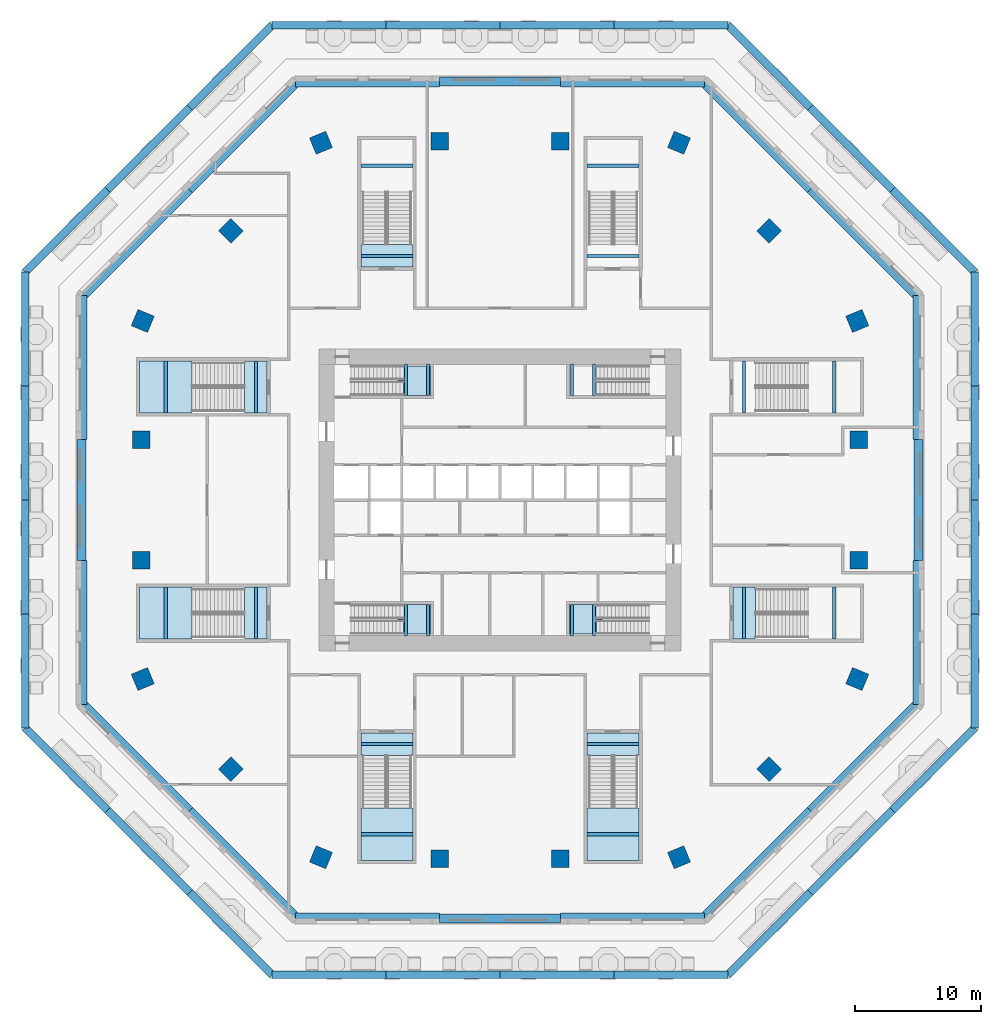
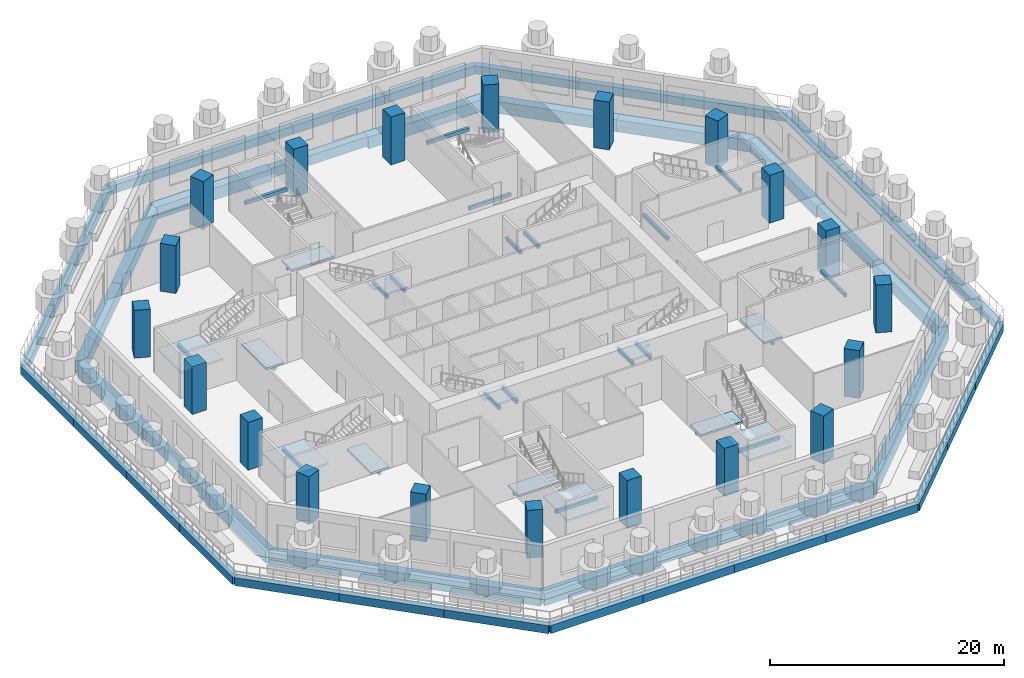
# One storey, part 1 of 13: 72 beams, 20 columns, 13 slabs, 7 elements without a shape of their own.
"""IFC4 building model written with IfcOpenShell, lengths in metres."""

from ifc_helpers import new_model, si_unit, direction, frame, origin, origin_2d, place, context, subcontext, project, spatial, polyline, rectangle, outline, extrude, material, layer, layer_set, material_profile, profile_set, type_object, element, aggregate, save


model = new_model("IFC4")

# Units and contexts
model_context = context("Model", 3, precision=1e-05, world=origin(), true_north=direction((0.0, 1.0)))
body_context = subcontext(model_context, "Body", "Model", "MODEL_VIEW")
ifc_project = project(units=[si_unit("LENGTHUNIT", "METRE"), si_unit("AREAUNIT", "SQUARE_METRE"), si_unit("VOLUMEUNIT", "CUBIC_METRE"), si_unit("PLANEANGLEUNIT", "RADIAN"), si_unit("MASSUNIT", "GRAM", prefix="KILO")], contexts=[model_context])

# Site, building, storey
site_placement = place(None, origin())
site = spatial("IfcSite", under=ifc_project, at=site_placement, CompositionType="ELEMENT")
building_placement = place(site_placement, origin())
building = spatial("IfcBuilding", under=site, at=building_placement, Name="Msitu Wima Residences", CompositionType="ELEMENT")
storey_placement = place(building_placement, frame((0.0, 0.0, 16.0)))
storey = spatial("IfcBuildingStorey", under=building, at=storey_placement, Name="L03", CompositionType="ELEMENT", Elevation=16.0)

# Columns
ifc_material_1 = material(Name="Concrete C70/85", Category="concrete")
ifc_material_profile_1 = material_profile(ifc_material_1, rectangle(XDim=1.39990234375, YDim=1.39990234375, at=origin_2d()), Name="RC 1400x1400")
ifc_profile_set_1 = profile_set([ifc_material_profile_1], Name="Concrete C70/85")
column_type = type_object("IfcColumnType", Name="Base column CB14 1400x1400", PredefinedType="COLUMN", material=ifc_profile_set_1)
for number, where, z_axis, x_axis, name in (
    (1, (-4.800048828125, -28.550048828125, 0.0), (0.0, 0.0, 1.0), (1.0, 0.0, 0.0), "Column 11/-28.6 L03"),
    (2, (4.800048828125, -28.550048828125, 0.0), (0.0, 0.0, 1.0), (1.0, 0.0, 0.0), "Column 13/-28.6 L03"),
    (3, (-14.2470703125, -28.43115234375, 0.0), (0.0, 0.0, 1.0), (0.923879505795, -0.382683496864, 0.0), "Column -14.3/-28.5 L03"),
    (4, (14.2470703125, -28.43115234375, 0.0), (0.0, 0.0, 1.0), (0.923879505795, 0.382683496864, 0.0), "Column +14.3/-28.5 L03"),
    (5, (-21.42333984375, -21.42333984375, 0.0), (0.0, 0.0, 1.0), (0.707106781187, -0.707106781187, 0.0), "Column -21.4/-21.4 L03"),
    (6, (21.42333984375, -21.42333984375, 0.0), (0.0, 0.0, 1.0), (0.707106781187, 0.707106781187, 0.0), "Column +21.4/-21.4 L03"),
    (7, (-28.43115234375, -14.2470703125, 0.0), (0.0, 0.0, 1.0), (0.382683496864, -0.923879505795, 0.0), "Column -28.5/-14.3 L03"),
    (8, (28.43115234375, -14.2470703125, 0.0), (0.0, 0.0, 1.0), (0.382683496864, 0.923879505795, 0.0), "Column +28.5/-14.3 L03"),
    (9, (-28.550048828125, -4.800048828125, 0.0), (0.0, 0.0, 1.0), (0.0, -1.0, 0.0), "Column -28.6/L L03"),
    (10, (28.550048828125, -4.800048828125, 0.0), (0.0, 0.0, 1.0), (0.0, 1.0, 0.0), "Column +28.6/L L03"),
    (11, (-28.550048828125, 4.800048828125, 0.0), (0.0, 0.0, 1.0), (0.0, -1.0, 0.0), "Column -28.6/N L03"),
    (12, (28.550048828125, 4.800048828125, 0.0), (0.0, 0.0, 1.0), (0.0, 1.0, 0.0), "Column +28.6/N L03"),
    (13, (-28.43115234375, 14.2470703125, 0.0), (0.0, 0.0, 1.0), (-0.382683496864, -0.923879505795, 0.0), "Column -28.5/+14.3 L03"),
    (14, (28.43115234375, 14.2470703125, 0.0), (0.0, 0.0, 1.0), (-0.382683496864, 0.923879505795, 0.0), "Column +28.5/+14.3 L03"),
    (15, (-21.42333984375, 21.42333984375, 0.0), (0.0, 0.0, 1.0), (-0.707106781187, -0.707106781187, 0.0), "Column -21.4/+21.4 L03"),
    (16, (21.42333984375, 21.42333984375, 0.0), (0.0, 0.0, 1.0), (-0.707106781187, 0.707106781187, 0.0), "Column +21.4/+21.4 L03"),
    (17, (-14.2470703125, 28.43115234375, 0.0), (0.0, 0.0, 1.0), (-0.923879505795, -0.382683496864, 0.0), "Column -14.3/+28.5 L03"),
    (18, (14.2470703125, 28.43115234375, 0.0), (0.0, 0.0, 1.0), (-0.923879505795, 0.382683496864, 0.0), "Column +14.3/+28.5 L03"),
    (19, (-4.800048828125, 28.550048828125, 0.0), (0.0, 0.0, 1.0), (-1.0, 0.0, 0.0), "Column 11/+28.6 L03"),
    (20, (4.800048828125, 28.550048828125, 0.0), (0.0, 0.0, 1.0), (-1.0, 0.0, 0.0), "Column 13/+28.6 L03"),
):
    element("IfcColumn", number, at=place(storey_placement, frame(where, z_axis=z_axis, x_axis=x_axis)), inside=storey, type_object=column_type, Name=name, PredefinedType="COLUMN", context=body_context, shape_type="SweptSolid", body=[
        extrude(rectangle(XDim=1.39990234375, YDim=1.39990234375, at=origin_2d()), origin(), (0.0, 0.0, 1.0), 5.0),
    ])

# Beams
ifc_material_2 = material(Name="Concrete C40/50", Category="concrete")
ifc_material_profile_2 = material_profile(ifc_material_2, rectangle(XDim=0.25, YDim=0.35009765625, at=origin_2d()), Name="RC 250x350")
ifc_profile_set_2 = profile_set([ifc_material_profile_2], Name="Concrete C40/50")
beam_type_1 = type_object("IfcBeamType", Name="Landing beam RC 250x350", PredefinedType="BEAM", material=ifc_profile_set_2)
for number, where, z_axis, x_axis, name in (
    (21, (-7.47509765625, 8.324951171875, 2.125), (0.0, 1.0, 0.0), (-1.0, 0.0, 0.0), "Stair 1 landing beam"),
    (22, (-5.72509765625, 8.324951171875, 2.125), (0.0, 1.0, 0.0), (-1.0, 0.0, 0.0), "Stair 1 landing beam"),
    (23, (-7.47509765625, -10.824951171875, 2.125), (0.0, 1.0, 0.0), (-1.0, 0.0, 0.0), "Stair 2 landing beam"),
    (24, (-5.72509765625, -10.824951171875, 2.125), (0.0, 1.0, 0.0), (-1.0, 0.0, 0.0), "Stair 2 landing beam"),
    (25, (7.47509765625, 8.324951171875, 2.125), (0.0, 1.0, 0.0), (-1.0, 0.0, 0.0), "Stair 3 landing beam"),
    (26, (5.72509765625, 8.324951171875, 2.125), (0.0, 1.0, 0.0), (-1.0, 0.0, 0.0), "Stair 3 landing beam"),
    (27, (7.47509765625, -10.824951171875, 2.125), (0.0, 1.0, 0.0), (-1.0, 0.0, 0.0), "Stair 4 landing beam"),
    (28, (5.72509765625, -10.824951171875, 2.125), (0.0, 1.0, 0.0), (-1.0, 0.0, 0.0), "Stair 4 landing beam"),
):
    element("IfcBeam", number, at=place(storey_placement, frame(where, z_axis=z_axis, x_axis=x_axis)), inside=storey, type_object=beam_type_1, Name=name, PredefinedType="BEAM", context=body_context, shape_type="SweptSolid", body=[
        extrude(rectangle(XDim=0.25, YDim=0.35009765625, at=origin_2d()), origin(), (0.0, 0.0, 1.0), 2.5),
    ])
for number, where, z_axis, x_axis, name in (
    (29, (26.60009765625, 6.925048828125, 2.125), (0.0, 1.0, 0.0), (-1.0, 0.0, 0.0), "Podium exit stair 1 landing beam"),
    (30, (19.425048828125, 6.925048828125, -0.375), (0.0, 1.0, 0.0), (-1.0, 0.0, 0.0), "Podium exit stair 1 floor landing beam"),
    (31, (26.60009765625, -6.925048828125, 2.125), (0.0, -1.0, 0.0), (1.0, 0.0, 0.0), "Podium exit stair 2 landing beam"),
    (32, (19.425048828125, -6.925048828125, -0.375), (0.0, -1.0, 0.0), (1.0, 0.0, 0.0), "Podium exit stair 2 floor landing beam"),
    (33, (-6.925048828125, 26.60009765625, 2.125), (-1.0, 0.0, 0.0), (0.0, -1.0, 0.0), "Podium exit stair 3 landing beam"),
    (34, (-6.925048828125, 19.425048828125, -0.375), (-1.0, 0.0, 0.0), (0.0, -1.0, 0.0), "Podium exit stair 3 floor landing beam"),
    (35, (6.925048828125, 26.60009765625, 2.125), (1.0, 0.0, 0.0), (0.0, 1.0, 0.0), "Podium exit stair 4 landing beam"),
    (36, (6.925048828125, 19.425048828125, -0.375), (1.0, 0.0, 0.0), (0.0, 1.0, 0.0), "Podium exit stair 4 floor landing beam"),
    (37, (-26.60009765625, -6.925048828125, 2.125), (0.0, -1.0, 0.0), (1.0, 0.0, 0.0), "Podium exit stair 5 landing beam"),
    (38, (-19.425048828125, -6.925048828125, -0.375), (0.0, -1.0, 0.0), (1.0, 0.0, 0.0), "Podium exit stair 5 floor landing beam"),
    (39, (-26.60009765625, 6.925048828125, 2.125), (0.0, 1.0, 0.0), (-1.0, 0.0, 0.0), "Podium exit stair 6 landing beam"),
    (40, (-19.425048828125, 6.925048828125, -0.375), (0.0, 1.0, 0.0), (-1.0, 0.0, 0.0), "Podium exit stair 6 floor landing beam"),
    (41, (6.925048828125, -26.60009765625, 2.125), (1.0, 0.0, 0.0), (0.0, 1.0, 0.0), "Podium exit stair 7 landing beam"),
    (42, (6.925048828125, -19.425048828125, -0.375), (1.0, 0.0, 0.0), (0.0, 1.0, 0.0), "Podium exit stair 7 floor landing beam"),
    (43, (-6.925048828125, -26.60009765625, 2.125), (-1.0, 0.0, 0.0), (0.0, -1.0, 0.0), "Podium exit stair 8 landing beam"),
    (44, (-6.925048828125, -19.425048828125, -0.375), (-1.0, 0.0, 0.0), (0.0, -1.0, 0.0), "Podium exit stair 8 floor landing beam"),
):
    element("IfcBeam", number, at=place(storey_placement, frame(where, z_axis=z_axis, x_axis=x_axis)), inside=storey, type_object=beam_type_1, Name=name, PredefinedType="BEAM", context=body_context, shape_type="SweptSolid", body=[
        extrude(rectangle(XDim=0.25, YDim=0.35009765625, at=origin_2d()), origin(), (0.0, 0.0, 1.0), 4.14990234375),
    ])
ifc_material_3 = material(Name="Concrete C60/75", Category="concrete")
ifc_material_profile_3 = material_profile(ifc_material_3, rectangle(XDim=0.60009765625, YDim=0.85009765625, at=origin_2d()), Name="RC 600x850")
ifc_profile_set_3 = profile_set([ifc_material_profile_3], Name="Concrete C60/75")
beam_type_2 = type_object("IfcBeamType", Name="Terrace beam RC 600x850 Concrete C60/75", PredefinedType="BEAM", material=ifc_profile_set_3)
for number, where, z_axis, x_axis, name in (
    (45, (37.800048828125, -18.1279296875, -0.77490234375), (0.0, 1.0, 0.0), (-1.0, 0.0, 0.0), "Terrace edge beam L02 C-E0"),
    (46, (37.800048828125, -9.06396484375, -0.77490234375), (0.0, 1.0, 0.0), (-1.0, 0.0, 0.0), "Terrace edge beam L02 C-E1"),
    (47, (37.800048828125, 0.0, -0.77490234375), (0.0, 1.0, 0.0), (-1.0, 0.0, 0.0), "Terrace edge beam L02 C-E2"),
    (48, (37.800048828125, 9.06396484375, -0.77490234375), (0.0, 1.0, 0.0), (-1.0, 0.0, 0.0), "Terrace edge beam L02 C-E3"),
):
    element("IfcBeam", number, at=place(storey_placement, frame(where, z_axis=z_axis, x_axis=x_axis)), inside=storey, type_object=beam_type_2, Name=name, PredefinedType="BEAM", context=body_context, shape_type="SweptSolid", body=[
        extrude(rectangle(XDim=0.60009765625, YDim=0.85009765625, at=origin_2d()), origin(), (0.0, 0.0, 1.0), 9.06396484375),
    ])
for number, where, z_axis, x_axis, name in (
    (49, (37.800048828125, 18.1279296875, -0.77490234375), (-0.707106781187, 0.707106781187, 0.0), (-0.707106781187, -0.707106781187, 0.0), "Terrace edge beam L02 C-NE0"),
    (50, (31.24267578125, 24.685302734375, -0.77490234375), (-0.707106781187, 0.707106781187, 0.0), (-0.707106781187, -0.707106781187, 0.0), "Terrace edge beam L02 C-NE1"),
    (51, (24.685302734375, 31.24267578125, -0.77490234375), (-0.707106781187, 0.707106781187, 0.0), (-0.707106781187, -0.707106781187, 0.0), "Terrace edge beam L02 C-NE2"),
):
    element("IfcBeam", number, at=place(storey_placement, frame(where, z_axis=z_axis, x_axis=x_axis)), inside=storey, type_object=beam_type_2, Name=name, PredefinedType="BEAM", context=body_context, shape_type="SweptSolid", body=[
        extrude(rectangle(XDim=0.60009765625, YDim=0.85009765625, at=origin_2d()), origin(), (0.0, 0.0, 1.0), 9.2734375),
    ])
for number, where, z_axis, x_axis, name in (
    (52, (18.1279296875, 37.800048828125, -0.77490234375), (-1.0, 0.0, 0.0), (0.0, -1.0, 0.0), "Terrace edge beam L02 C-N0"),
    (53, (9.06396484375, 37.800048828125, -0.77490234375), (-1.0, 0.0, 0.0), (0.0, -1.0, 0.0), "Terrace edge beam L02 C-N1"),
    (54, (0.0, 37.800048828125, -0.77490234375), (-1.0, 0.0, 0.0), (0.0, -1.0, 0.0), "Terrace edge beam L02 C-N2"),
    (55, (-9.06396484375, 37.800048828125, -0.77490234375), (-1.0, 0.0, 0.0), (0.0, -1.0, 0.0), "Terrace edge beam L02 C-N3"),
):
    element("IfcBeam", number, at=place(storey_placement, frame(where, z_axis=z_axis, x_axis=x_axis)), inside=storey, type_object=beam_type_2, Name=name, PredefinedType="BEAM", context=body_context, shape_type="SweptSolid", body=[
        extrude(rectangle(XDim=0.60009765625, YDim=0.85009765625, at=origin_2d()), origin(), (0.0, 0.0, 1.0), 9.06396484375),
    ])
for number, where, z_axis, x_axis, name in (
    (56, (-18.1279296875, 37.800048828125, -0.77490234375), (-0.707106781187, -0.707106781187, 0.0), (0.707106781187, -0.707106781187, 0.0), "Terrace edge beam L02 C-NW0"),
    (57, (-24.685302734375, 31.24267578125, -0.77490234375), (-0.707106781187, -0.707106781187, 0.0), (0.707106781187, -0.707106781187, 0.0), "Terrace edge beam L02 C-NW1"),
    (58, (-31.24267578125, 24.685302734375, -0.77490234375), (-0.707106781187, -0.707106781187, 0.0), (0.707106781187, -0.707106781187, 0.0), "Terrace edge beam L02 C-NW2"),
):
    element("IfcBeam", number, at=place(storey_placement, frame(where, z_axis=z_axis, x_axis=x_axis)), inside=storey, type_object=beam_type_2, Name=name, PredefinedType="BEAM", context=body_context, shape_type="SweptSolid", body=[
        extrude(rectangle(XDim=0.60009765625, YDim=0.85009765625, at=origin_2d()), origin(), (0.0, 0.0, 1.0), 9.2734375),
    ])
for number, where, z_axis, x_axis, name in (
    (59, (-37.800048828125, 18.1279296875, -0.77490234375), (0.0, -1.0, 0.0), (1.0, 0.0, 0.0), "Terrace edge beam L02 C-W0"),
    (60, (-37.800048828125, 9.06396484375, -0.77490234375), (0.0, -1.0, 0.0), (1.0, 0.0, 0.0), "Terrace edge beam L02 C-W1"),
    (61, (-37.800048828125, 0.0, -0.77490234375), (0.0, -1.0, 0.0), (1.0, 0.0, 0.0), "Terrace edge beam L02 C-W2"),
    (62, (-37.800048828125, -9.06396484375, -0.77490234375), (0.0, -1.0, 0.0), (1.0, 0.0, 0.0), "Terrace edge beam L02 C-W3"),
):
    element("IfcBeam", number, at=place(storey_placement, frame(where, z_axis=z_axis, x_axis=x_axis)), inside=storey, type_object=beam_type_2, Name=name, PredefinedType="BEAM", context=body_context, shape_type="SweptSolid", body=[
        extrude(rectangle(XDim=0.60009765625, YDim=0.85009765625, at=origin_2d()), origin(), (0.0, 0.0, 1.0), 9.06396484375),
    ])
for number, where, z_axis, x_axis, name in (
    (63, (-37.800048828125, -18.1279296875, -0.77490234375), (0.707106781187, -0.707106781187, 0.0), (0.707106781187, 0.707106781187, 0.0), "Terrace edge beam L02 C-SW0"),
    (64, (-31.24267578125, -24.685302734375, -0.77490234375), (0.707106781187, -0.707106781187, 0.0), (0.707106781187, 0.707106781187, 0.0), "Terrace edge beam L02 C-SW1"),
    (65, (-24.685302734375, -31.24267578125, -0.77490234375), (0.707106781187, -0.707106781187, 0.0), (0.707106781187, 0.707106781187, 0.0), "Terrace edge beam L02 C-SW2"),
):
    element("IfcBeam", number, at=place(storey_placement, frame(where, z_axis=z_axis, x_axis=x_axis)), inside=storey, type_object=beam_type_2, Name=name, PredefinedType="BEAM", context=body_context, shape_type="SweptSolid", body=[
        extrude(rectangle(XDim=0.60009765625, YDim=0.85009765625, at=origin_2d()), origin(), (0.0, 0.0, 1.0), 9.2734375),
    ])
for number, where, z_axis, x_axis, name in (
    (66, (-18.1279296875, -37.800048828125, -0.77490234375), (1.0, 0.0, 0.0), (0.0, 1.0, 0.0), "Terrace edge beam L02 C-S0"),
    (67, (-9.06396484375, -37.800048828125, -0.77490234375), (1.0, 0.0, 0.0), (0.0, 1.0, 0.0), "Terrace edge beam L02 C-S1"),
    (68, (0.0, -37.800048828125, -0.77490234375), (1.0, 0.0, 0.0), (0.0, 1.0, 0.0), "Terrace edge beam L02 C-S2"),
    (69, (9.06396484375, -37.800048828125, -0.77490234375), (1.0, 0.0, 0.0), (0.0, 1.0, 0.0), "Terrace edge beam L02 C-S3"),
):
    element("IfcBeam", number, at=place(storey_placement, frame(where, z_axis=z_axis, x_axis=x_axis)), inside=storey, type_object=beam_type_2, Name=name, PredefinedType="BEAM", context=body_context, shape_type="SweptSolid", body=[
        extrude(rectangle(XDim=0.60009765625, YDim=0.85009765625, at=origin_2d()), origin(), (0.0, 0.0, 1.0), 9.06396484375),
    ])
for number, where, z_axis, x_axis, name in (
    (70, (18.1279296875, -37.800048828125, -0.77490234375), (0.707106781187, 0.707106781187, 0.0), (-0.707106781187, 0.707106781187, 0.0), "Terrace edge beam L02 C-SE0"),
    (71, (24.685302734375, -31.24267578125, -0.77490234375), (0.707106781187, 0.707106781187, 0.0), (-0.707106781187, 0.707106781187, 0.0), "Terrace edge beam L02 C-SE1"),
    (72, (31.24267578125, -24.685302734375, -0.77490234375), (0.707106781187, 0.707106781187, 0.0), (-0.707106781187, 0.707106781187, 0.0), "Terrace edge beam L02 C-SE2"),
):
    element("IfcBeam", number, at=place(storey_placement, frame(where, z_axis=z_axis, x_axis=x_axis)), inside=storey, type_object=beam_type_2, Name=name, PredefinedType="BEAM", context=body_context, shape_type="SweptSolid", body=[
        extrude(rectangle(XDim=0.60009765625, YDim=0.85009765625, at=origin_2d()), origin(), (0.0, 0.0, 1.0), 9.2734375),
    ])
ifc_material_profile_4 = material_profile(ifc_material_3, rectangle(XDim=0.699951171875, YDim=1.0, at=origin_2d()), Name="RC 700x1000")
ifc_profile_set_4 = profile_set([ifc_material_profile_4], Name="Concrete C60/75")
beam_type_3 = type_object("IfcBeamType", Name="Terrace beam RC 700x1000 Concrete C60/75", PredefinedType="BEAM", material=ifc_profile_set_4)
for number, where, z_axis, x_axis, name in (
    (73, (-4.800048828125, -33.300048828125, -0.85009765625), (1.0, 0.0, 0.0), (0.0, 1.0, 0.0), "Terrace upstand-line beam L03 T4"),
    (74, (33.300048828125, -4.800048828125, -0.85009765625), (0.0, 1.0, 0.0), (-1.0, 0.0, 0.0), "Terrace upstand-line beam L03 T9"),
    (75, (4.800048828125, 33.300048828125, -0.85009765625), (-1.0, 0.0, 0.0), (0.0, -1.0, 0.0), "Terrace upstand-line beam L03 T14"),
    (76, (-33.300048828125, 4.800048828125, -0.85009765625), (0.0, -1.0, 0.0), (1.0, 0.0, 0.0), "Terrace upstand-line beam L03 T19"),
):
    element("IfcBeam", number, at=place(storey_placement, frame(where, z_axis=z_axis, x_axis=x_axis)), inside=storey, type_object=beam_type_3, Name=name, PredefinedType="BEAM", context=body_context, shape_type="SweptSolid", body=[
        extrude(rectangle(XDim=0.699951171875, YDim=1.0, at=origin_2d()), origin(), (0.0, 0.0, 1.0), 9.60009765625),
    ])
ifc_material_profile_5 = material_profile(ifc_material_3, rectangle(XDim=0.89990234375, YDim=1.25, at=origin_2d()), Name="RC 900x1250")
ifc_profile_set_5 = profile_set([ifc_material_profile_5], Name="Concrete C60/75")
beam_type_4 = type_object("IfcBeamType", Name="Terrace beam RC 900x1250 Concrete C60/75", PredefinedType="BEAM", material=ifc_profile_set_5)
beam_1_placement = place(storey_placement, frame((-33.300048828125, -4.800048828125, -0.97509765625), z_axis=(0.0, -1.0, 0.0), x_axis=(1.0, 0.0, 0.0)))
element("IfcBeam", 77, at=beam_1_placement, inside=storey, type_object=beam_type_4, Name="Terrace upstand-line beam L03 T0", PredefinedType="BEAM", context=body_context, shape_type="SweptSolid", body=[
    extrude(rectangle(XDim=0.89990234375, YDim=1.25, at=origin_2d()), origin(), (0.0, 0.0, 1.0), 11.4638671875),
])
for number, where, z_axis, x_axis, name in (
    (78, (-33.300048828125, -16.263916015625, -0.97509765625), (0.707106781187, -0.707106781187, 0.0), (0.707106781187, 0.707106781187, 0.0), "Terrace upstand-line beam L03 T1"),
    (79, (-24.781982421875, -24.781982421875, -0.97509765625), (0.707106781187, -0.707106781187, 0.0), (0.707106781187, 0.707106781187, 0.0), "Terrace upstand-line beam L03 T2"),
):
    element("IfcBeam", number, at=place(storey_placement, frame(where, z_axis=z_axis, x_axis=x_axis)), inside=storey, type_object=beam_type_4, Name=name, PredefinedType="BEAM", context=body_context, shape_type="SweptSolid", body=[
        extrude(rectangle(XDim=0.89990234375, YDim=1.25, at=origin_2d()), origin(), (0.0, 0.0, 1.0), 12.04638671875),
    ])
for number, where, z_axis, x_axis, name in (
    (80, (-16.263916015625, -33.300048828125, -0.97509765625), (1.0, 0.0, 0.0), (0.0, 1.0, 0.0), "Terrace upstand-line beam L03 T3"),
    (81, (4.800048828125, -33.300048828125, -0.97509765625), (1.0, 0.0, 0.0), (0.0, 1.0, 0.0), "Terrace upstand-line beam L03 T5"),
):
    element("IfcBeam", number, at=place(storey_placement, frame(where, z_axis=z_axis, x_axis=x_axis)), inside=storey, type_object=beam_type_4, Name=name, PredefinedType="BEAM", context=body_context, shape_type="SweptSolid", body=[
        extrude(rectangle(XDim=0.89990234375, YDim=1.25, at=origin_2d()), origin(), (0.0, 0.0, 1.0), 11.4638671875),
    ])
for number, where, z_axis, x_axis, name in (
    (82, (16.263916015625, -33.300048828125, -0.97509765625), (0.707106781187, 0.707106781187, 0.0), (-0.707106781187, 0.707106781187, 0.0), "Terrace upstand-line beam L03 T6"),
    (83, (24.781982421875, -24.781982421875, -0.97509765625), (0.707106781187, 0.707106781187, 0.0), (-0.707106781187, 0.707106781187, 0.0), "Terrace upstand-line beam L03 T7"),
):
    element("IfcBeam", number, at=place(storey_placement, frame(where, z_axis=z_axis, x_axis=x_axis)), inside=storey, type_object=beam_type_4, Name=name, PredefinedType="BEAM", context=body_context, shape_type="SweptSolid", body=[
        extrude(rectangle(XDim=0.89990234375, YDim=1.25, at=origin_2d()), origin(), (0.0, 0.0, 1.0), 12.04638671875),
    ])
for number, where, z_axis, x_axis, name in (
    (84, (33.300048828125, -16.263916015625, -0.97509765625), (0.0, 1.0, 0.0), (-1.0, 0.0, 0.0), "Terrace upstand-line beam L03 T8"),
    (85, (33.300048828125, 4.800048828125, -0.97509765625), (0.0, 1.0, 0.0), (-1.0, 0.0, 0.0), "Terrace upstand-line beam L03 T10"),
):
    element("IfcBeam", number, at=place(storey_placement, frame(where, z_axis=z_axis, x_axis=x_axis)), inside=storey, type_object=beam_type_4, Name=name, PredefinedType="BEAM", context=body_context, shape_type="SweptSolid", body=[
        extrude(rectangle(XDim=0.89990234375, YDim=1.25, at=origin_2d()), origin(), (0.0, 0.0, 1.0), 11.4638671875),
    ])
for number, where, z_axis, x_axis, name in (
    (86, (33.300048828125, 16.263916015625, -0.97509765625), (-0.707106781187, 0.707106781187, 0.0), (-0.707106781187, -0.707106781187, 0.0), "Terrace upstand-line beam L03 T11"),
    (87, (24.781982421875, 24.781982421875, -0.97509765625), (-0.707106781187, 0.707106781187, 0.0), (-0.707106781187, -0.707106781187, 0.0), "Terrace upstand-line beam L03 T12"),
):
    element("IfcBeam", number, at=place(storey_placement, frame(where, z_axis=z_axis, x_axis=x_axis)), inside=storey, type_object=beam_type_4, Name=name, PredefinedType="BEAM", context=body_context, shape_type="SweptSolid", body=[
        extrude(rectangle(XDim=0.89990234375, YDim=1.25, at=origin_2d()), origin(), (0.0, 0.0, 1.0), 12.04638671875),
    ])
for number, where, z_axis, x_axis, name in (
    (88, (16.263916015625, 33.300048828125, -0.97509765625), (-1.0, 0.0, 0.0), (0.0, -1.0, 0.0), "Terrace upstand-line beam L03 T13"),
    (89, (-4.800048828125, 33.300048828125, -0.97509765625), (-1.0, 0.0, 0.0), (0.0, -1.0, 0.0), "Terrace upstand-line beam L03 T15"),
):
    element("IfcBeam", number, at=place(storey_placement, frame(where, z_axis=z_axis, x_axis=x_axis)), inside=storey, type_object=beam_type_4, Name=name, PredefinedType="BEAM", context=body_context, shape_type="SweptSolid", body=[
        extrude(rectangle(XDim=0.89990234375, YDim=1.25, at=origin_2d()), origin(), (0.0, 0.0, 1.0), 11.4638671875),
    ])
for number, where, z_axis, x_axis, name in (
    (90, (-16.263916015625, 33.300048828125, -0.97509765625), (-0.707106781187, -0.707106781187, 0.0), (0.707106781187, -0.707106781187, 0.0), "Terrace upstand-line beam L03 T16"),
    (91, (-24.781982421875, 24.781982421875, -0.97509765625), (-0.707106781187, -0.707106781187, 0.0), (0.707106781187, -0.707106781187, 0.0), "Terrace upstand-line beam L03 T17"),
):
    element("IfcBeam", number, at=place(storey_placement, frame(where, z_axis=z_axis, x_axis=x_axis)), inside=storey, type_object=beam_type_4, Name=name, PredefinedType="BEAM", context=body_context, shape_type="SweptSolid", body=[
        extrude(rectangle(XDim=0.89990234375, YDim=1.25, at=origin_2d()), origin(), (0.0, 0.0, 1.0), 12.04638671875),
    ])
beam_2_placement = place(storey_placement, frame((-33.300048828125, 16.263916015625, -0.97509765625), z_axis=(0.0, -1.0, 0.0), x_axis=(1.0, 0.0, 0.0)))
element("IfcBeam", 92, at=beam_2_placement, inside=storey, type_object=beam_type_4, Name="Terrace upstand-line beam L03 T18", PredefinedType="BEAM", context=body_context, shape_type="SweptSolid", body=[
    extrude(rectangle(XDim=0.89990234375, YDim=1.25, at=origin_2d()), origin(), (0.0, 0.0, 1.0), 11.4638671875),
])

# Stair, slab
stair_type_1 = type_object("IfcStairType", Name="Exit stair ES1667-110", PredefinedType="HALF_TURN_STAIR", material=ifc_material_2)
stair_1_placement = place(storey_placement, origin())
stair_1 = element("IfcStair", 93, at=stair_1_placement, inside=storey, type_object=stair_type_1, Name="Exit stair 1", PredefinedType="HALF_TURN_STAIR")
ifc_layer = layer(ifc_material_2, 0.199951171875)
ifc_layer_set = layer_set([ifc_layer], Name="Concrete C40/50")
slab_type = type_object("IfcSlabType", Name="Stair landing SL200", PredefinedType="LANDING", material=ifc_layer_set)
slab_1_placement = place(storey_placement, frame((0.0, 0.0, 2.300048828125)))
slab_1 = element("IfcSlab", 94, at=slab_1_placement, type_object=slab_type, Name="S1 landing 1", PredefinedType="LANDING", context=body_context, shape_type="SweptSolid", body=[
    extrude(outline(polyline([(-5.52490234375, 8.324951171875), (-7.675537109375, 8.324951171875), (-7.675537109375, 9.5), (-8.175048828125, 9.5), (-8.175048828125, 10.675048828125), (-5.52490234375, 10.675048828125), (-5.52490234375, 8.324951171875)])), origin(), (0.0, 0.0, 1.0), 0.199951171875),
])
aggregate(stair_1, [slab_1])

stair_2_placement = place(storey_placement, origin())
stair_2 = element("IfcStair", 95, at=stair_2_placement, inside=storey, type_object=stair_type_1, Name="Exit stair 2", PredefinedType="HALF_TURN_STAIR")
slab_2_placement = place(storey_placement, frame((0.0, 0.0, 2.300048828125)))
slab_2 = element("IfcSlab", 96, at=slab_2_placement, type_object=slab_type, Name="S2 landing 1", PredefinedType="LANDING", context=body_context, shape_type="SweptSolid", body=[
    extrude(outline(polyline([(-5.52490234375, -10.675048828125), (-7.675537109375, -10.675048828125), (-7.675537109375, -9.5), (-8.175048828125, -9.5), (-8.175048828125, -8.324951171875), (-5.52490234375, -8.324951171875), (-5.52490234375, -10.675048828125)])), origin(), (0.0, 0.0, 1.0), 0.199951171875),
])
aggregate(stair_2, [slab_2])

stair_3_placement = place(storey_placement, origin())
stair_3 = element("IfcStair", 97, at=stair_3_placement, inside=storey, type_object=stair_type_1, Name="Exit stair 4", PredefinedType="HALF_TURN_STAIR")
slab_3_placement = place(storey_placement, frame((0.0, 0.0, 2.300048828125)))
slab_3 = element("IfcSlab", 98, at=slab_3_placement, type_object=slab_type, Name="S4 landing 1", PredefinedType="LANDING", context=body_context, shape_type="SweptSolid", body=[
    extrude(outline(polyline([(5.52490234375, -10.675048828125), (7.675537109375, -10.675048828125), (7.675537109375, -9.5), (8.175048828125, -9.5), (8.175048828125, -8.324951171875), (5.52490234375, -8.324951171875), (5.52490234375, -10.675048828125)])), origin(), (0.0, 0.0, 1.0), 0.199951171875),
])
aggregate(stair_3, [slab_3])

# Slabs
slab_4_placement = place(storey_placement, frame((0.0, 0.0, -0.199951171875)))
element("IfcSlab", 99, at=slab_4_placement, inside=storey, type_object=slab_type, Name="Podium exit stair 2 floor landing", PredefinedType="LANDING", context=body_context, shape_type="SweptSolid", body=[
    extrude(outline(polyline([(18.52490234375, -6.925048828125), (20.324951171875, -6.925048828125), (20.324951171875, -11.074951171875), (18.52490234375, -11.074951171875), (18.52490234375, -6.925048828125)])), origin(), (0.0, 0.0, 1.0), 0.199951171875),
])
slab_5_placement = place(storey_placement, frame((0.0, 0.0, -0.199951171875)))
element("IfcSlab", 100, at=slab_5_placement, inside=storey, type_object=slab_type, Name="Podium exit stair 3 floor landing", PredefinedType="LANDING", context=body_context, shape_type="SweptSolid", body=[
    extrude(outline(polyline([(-6.925048828125, 18.52490234375), (-6.925048828125, 20.324951171875), (-11.074951171875, 20.324951171875), (-11.074951171875, 18.52490234375), (-6.925048828125, 18.52490234375)])), origin(), (0.0, 0.0, 1.0), 0.199951171875),
])

# Stair, slab
stair_type_2 = type_object("IfcStairType", Name="Podium exit stair PX1667-190", PredefinedType="HALF_TURN_STAIR", material=ifc_material_2)
stair_4_placement = place(storey_placement, origin())
stair_4 = element("IfcStair", 101, at=stair_4_placement, inside=storey, type_object=stair_type_2, Name="Podium exit stair 5", PredefinedType="HALF_TURN_STAIR")
slab_6_placement = place(storey_placement, frame((0.0, 0.0, 2.300048828125)))
slab_6 = element("IfcSlab", 102, at=slab_6_placement, type_object=slab_type, Name="PS5 landing 1", PredefinedType="LANDING", context=body_context, shape_type="SweptSolid", body=[
    extrude(outline(polyline([(-24.52490234375, -6.925048828125), (-28.675048828125, -6.925048828125), (-28.675048828125, -11.074951171875), (-24.52490234375, -11.074951171875), (-24.52490234375, -6.925048828125)])), origin(), (0.0, 0.0, 1.0), 0.199951171875),
])
aggregate(stair_4, [slab_6])

# Slab
slab_7_placement = place(storey_placement, frame((0.0, 0.0, -0.199951171875)))
element("IfcSlab", 103, at=slab_7_placement, inside=storey, type_object=slab_type, Name="Podium exit stair 5 floor landing", PredefinedType="LANDING", context=body_context, shape_type="SweptSolid", body=[
    extrude(outline(polyline([(-18.52490234375, -6.925048828125), (-20.324951171875, -6.925048828125), (-20.324951171875, -11.074951171875), (-18.52490234375, -11.074951171875), (-18.52490234375, -6.925048828125)])), origin(), (0.0, 0.0, 1.0), 0.199951171875),
])

# Stair, slab
stair_5_placement = place(storey_placement, origin())
stair_5 = element("IfcStair", 104, at=stair_5_placement, inside=storey, type_object=stair_type_2, Name="Podium exit stair 6", PredefinedType="HALF_TURN_STAIR")
slab_8_placement = place(storey_placement, frame((0.0, 0.0, 2.300048828125)))
slab_8 = element("IfcSlab", 105, at=slab_8_placement, type_object=slab_type, Name="PS6 landing 1", PredefinedType="LANDING", context=body_context, shape_type="SweptSolid", body=[
    extrude(outline(polyline([(-24.52490234375, 6.925048828125), (-28.675048828125, 6.925048828125), (-28.675048828125, 11.074951171875), (-24.52490234375, 11.074951171875), (-24.52490234375, 6.925048828125)])), origin(), (0.0, 0.0, 1.0), 0.199951171875),
])
aggregate(stair_5, [slab_8])

# Slab
slab_9_placement = place(storey_placement, frame((0.0, 0.0, -0.199951171875)))
element("IfcSlab", 106, at=slab_9_placement, inside=storey, type_object=slab_type, Name="Podium exit stair 6 floor landing", PredefinedType="LANDING", context=body_context, shape_type="SweptSolid", body=[
    extrude(outline(polyline([(-18.52490234375, 6.925048828125), (-20.324951171875, 6.925048828125), (-20.324951171875, 11.074951171875), (-18.52490234375, 11.074951171875), (-18.52490234375, 6.925048828125)])), origin(), (0.0, 0.0, 1.0), 0.199951171875),
])

# Stair, slab
stair_6_placement = place(storey_placement, origin())
stair_6 = element("IfcStair", 107, at=stair_6_placement, inside=storey, type_object=stair_type_2, Name="Podium exit stair 7", PredefinedType="HALF_TURN_STAIR")
slab_10_placement = place(storey_placement, frame((0.0, 0.0, 2.300048828125)))
slab_10 = element("IfcSlab", 108, at=slab_10_placement, type_object=slab_type, Name="PS7 landing 1", PredefinedType="LANDING", context=body_context, shape_type="SweptSolid", body=[
    extrude(outline(polyline([(6.925048828125, -24.52490234375), (6.925048828125, -28.675048828125), (11.074951171875, -28.675048828125), (11.074951171875, -24.52490234375), (6.925048828125, -24.52490234375)])), origin(), (0.0, 0.0, 1.0), 0.199951171875),
])
aggregate(stair_6, [slab_10])

# Slab
slab_11_placement = place(storey_placement, frame((0.0, 0.0, -0.199951171875)))
element("IfcSlab", 109, at=slab_11_placement, inside=storey, type_object=slab_type, Name="Podium exit stair 7 floor landing", PredefinedType="LANDING", context=body_context, shape_type="SweptSolid", body=[
    extrude(outline(polyline([(6.925048828125, -18.52490234375), (6.925048828125, -20.324951171875), (11.074951171875, -20.324951171875), (11.074951171875, -18.52490234375), (6.925048828125, -18.52490234375)])), origin(), (0.0, 0.0, 1.0), 0.199951171875),
])

# Stair, slab
stair_7_placement = place(storey_placement, origin())
stair_7 = element("IfcStair", 110, at=stair_7_placement, inside=storey, type_object=stair_type_2, Name="Podium exit stair 8", PredefinedType="HALF_TURN_STAIR")
slab_12_placement = place(storey_placement, frame((0.0, 0.0, 2.300048828125)))
slab_12 = element("IfcSlab", 111, at=slab_12_placement, type_object=slab_type, Name="PS8 landing 1", PredefinedType="LANDING", context=body_context, shape_type="SweptSolid", body=[
    extrude(outline(polyline([(-6.925048828125, -24.52490234375), (-6.925048828125, -28.675048828125), (-11.074951171875, -28.675048828125), (-11.074951171875, -24.52490234375), (-6.925048828125, -24.52490234375)])), origin(), (0.0, 0.0, 1.0), 0.199951171875),
])
aggregate(stair_7, [slab_12])

# Slab
slab_13_placement = place(storey_placement, frame((0.0, 0.0, -0.199951171875)))
element("IfcSlab", 112, at=slab_13_placement, inside=storey, type_object=slab_type, Name="Podium exit stair 8 floor landing", PredefinedType="LANDING", context=body_context, shape_type="SweptSolid", body=[
    extrude(outline(polyline([(-6.925048828125, -18.52490234375), (-6.925048828125, -20.324951171875), (-11.074951171875, -20.324951171875), (-11.074951171875, -18.52490234375), (-6.925048828125, -18.52490234375)])), origin(), (0.0, 0.0, 1.0), 0.199951171875),
])

save(model, "model.ifc")
